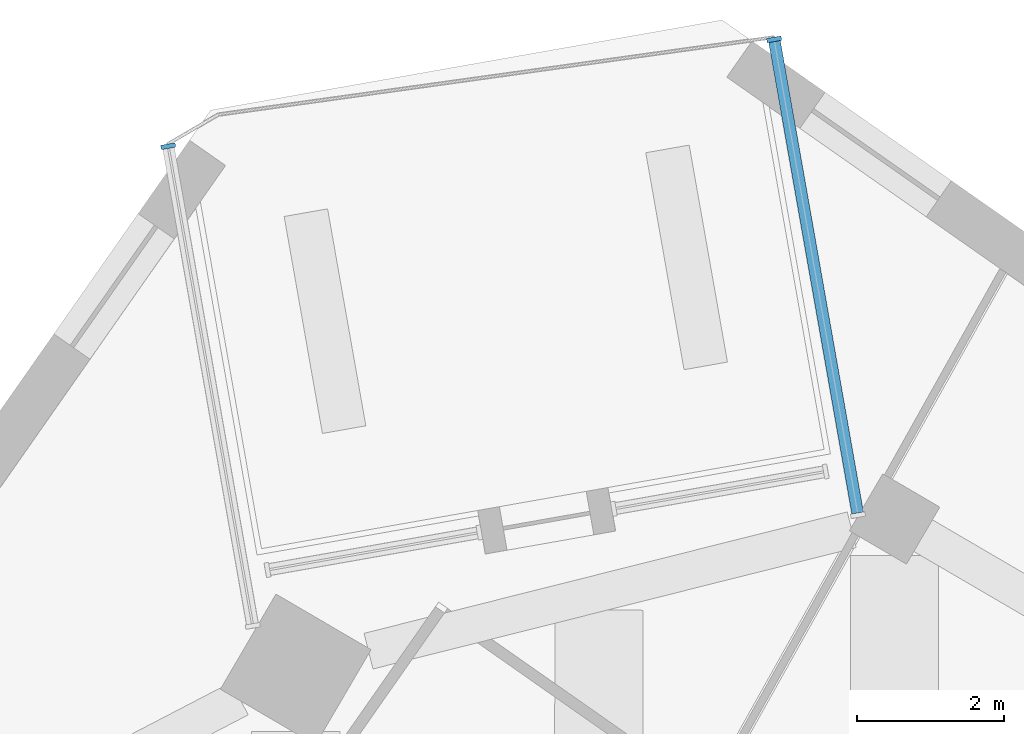
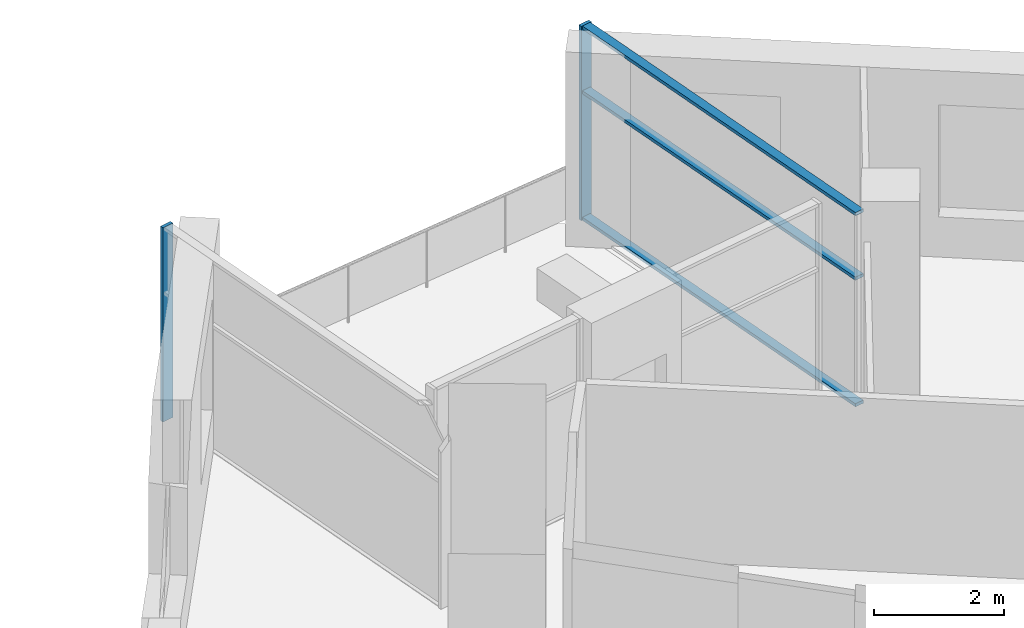
# One storey, part 4 of 13: 5 members, 2 elements without a shape of their own.
"""IFC4 building model written with IfcOpenShell, lengths in metres."""

from ifc_helpers import new_model, si_unit, direction, frame, origin, origin_2d, place, context, subcontext, project, spatial, rectangle, extrude, material, material_profile, profile_set, type_object, element, aggregate, save


model = new_model("IFC4")

# Units and contexts
model_context = context("Model", 3, precision=1e-05, world=origin(), true_north=direction((0.0, 1.0)))
body_context = subcontext(model_context, "Body", "Model", "MODEL_VIEW")
ifc_project = project(units=[si_unit("LENGTHUNIT", "METRE"), si_unit("AREAUNIT", "SQUARE_METRE"), si_unit("VOLUMEUNIT", "CUBIC_METRE"), si_unit("PLANEANGLEUNIT", "RADIAN"), si_unit("MASSUNIT", "GRAM", prefix="KILO")], contexts=[model_context])

# Site, building, storey
site_placement = place(None, origin())
site = spatial("IfcSite", under=ifc_project, at=site_placement, CompositionType="ELEMENT")
building_placement = place(site_placement, origin())
building = spatial("IfcBuilding", under=site, at=building_placement, Name="Dilmun Exchange Tower", CompositionType="ELEMENT")
storey_placement = place(building_placement, frame((0.0, 0.0, 246.89990234375)))
storey = spatial("IfcBuildingStorey", under=building, at=storey_placement, Name="L58", CompositionType="ELEMENT", Elevation=246.89990234375)

# Curtain wall, member
ifc_material_1 = material(Name="Anodised aluminium and clear glass", Category="aluminium")
curtain_wall_type = type_object("IfcCurtainWallType", Name="Garden corner glazing", PredefinedType="NOTDEFINED", material=ifc_material_1)
curtain_wall_1_placement = place(storey_placement, origin())
curtain_wall_1 = element("IfcCurtainWall", 1, at=curtain_wall_1_placement, inside=storey, type_object=curtain_wall_type, Name="Garden corner glazing run GC1.1", PredefinedType="NOTDEFINED")
ifc_material_2 = material(Name="Anodised aluminium", Category="aluminium")
ifc_material_profile_1 = material_profile(ifc_material_2, rectangle(XDim=0.199951171875, YDim=0.06005859375, at=origin_2d()), Name="AL 60x200")
ifc_profile_set_1 = profile_set([ifc_material_profile_1], Name="Anodised aluminium")
member_type_1 = type_object("IfcMemberType", Name="Garden corner glazing mullion 60 x 200", PredefinedType="MULLION", material=ifc_profile_set_1)
member_1_placement = place(storey_placement, frame((2.599365234375, 35.0361328125, 0.0), z_axis=(0.0, 0.0, 1.0), x_axis=(0.984807359836, 0.173650407466, 0.0)))
member_1 = element("IfcMember", 2, at=member_1_placement, type_object=member_type_1, Name="GC1.1 mullion 1", PredefinedType="MULLION", context=body_context, shape_type="SweptSolid", body=[
    extrude(rectangle(XDim=0.199951171875, YDim=0.06005859375, at=origin_2d()), origin(), (0.0, 0.0, 1.0), 3.64013671875),
])

curtain_wall_2_placement = place(storey_placement, origin())
curtain_wall_2 = element("IfcCurtainWall", 3, at=curtain_wall_2_placement, inside=storey, type_object=curtain_wall_type, Name="Garden corner glazing run GC3.1", PredefinedType="NOTDEFINED")
member_2_placement = place(storey_placement, frame((-5.651611328125, 33.581298828125, 0.0), z_axis=(0.0, 0.0, 1.0), x_axis=(-0.984807317735, -0.173650646227, 0.0)))
member_2 = element("IfcMember", 4, at=member_2_placement, type_object=member_type_1, Name="GC3.1 mullion 2", PredefinedType="MULLION", context=body_context, shape_type="SweptSolid", body=[
    extrude(rectangle(XDim=0.199951171875, YDim=0.06005859375, at=origin_2d()), origin(), (0.0, 0.0, 1.0), 3.64013671875),
])
aggregate(curtain_wall_2, [member_2])

# Member
ifc_material_profile_2 = material_profile(ifc_material_2, rectangle(XDim=0.159912109375, YDim=0.06005859375, at=origin_2d()), Name="AL 60x160")
ifc_profile_set_2 = profile_set([ifc_material_profile_2], Name="Anodised aluminium")
member_type_2 = type_object("IfcMemberType", Name="Garden corner glazing transom 60 x 160", PredefinedType="USERDEFINED", material=ifc_profile_set_2)
member_3_placement = place(storey_placement, frame((2.604736328125, 35.006591796875, 0.030029296875), z_axis=(0.173648578108, -0.984807682404, 0.0), x_axis=(0.984807682404, 0.173648578108, 0.0)))
member_3 = element("IfcMember", 5, at=member_3_placement, type_object=member_type_2, Name="GC1.1 transom 1.1", ObjectType="TRANSOM", PredefinedType="USERDEFINED", context=body_context, shape_type="SweptSolid", body=[
    extrude(rectangle(XDim=0.159912109375, YDim=0.06005859375, at=origin_2d()), origin(), (0.0, 0.0, 1.0), 6.51806640625),
])

member_4_placement = place(storey_placement, frame((2.604736328125, 35.006591796875, 2.400146484375), z_axis=(0.173648578108, -0.984807682404, 0.0), x_axis=(0.984807682404, 0.173648578108, 0.0)))
member_4 = element("IfcMember", 6, at=member_4_placement, type_object=member_type_2, Name="GC1.1 transom 1.2", ObjectType="TRANSOM", PredefinedType="USERDEFINED", context=body_context, shape_type="SweptSolid", body=[
    extrude(rectangle(XDim=0.159912109375, YDim=0.06005859375, at=origin_2d()), origin(), (0.0, 0.0, 1.0), 6.51806640625),
])

member_5_placement = place(storey_placement, frame((2.604736328125, 35.006591796875, 3.610107421875), z_axis=(0.173648578108, -0.984807682404, 0.0), x_axis=(0.984807682404, 0.173648578108, 0.0)))
member_5 = element("IfcMember", 7, at=member_5_placement, type_object=member_type_2, Name="GC1.1 transom 1.3", ObjectType="TRANSOM", PredefinedType="USERDEFINED", context=body_context, shape_type="SweptSolid", body=[
    extrude(rectangle(XDim=0.159912109375, YDim=0.06005859375, at=origin_2d()), origin(), (0.0, 0.0, 1.0), 6.51806640625),
])

aggregate(curtain_wall_1, [member_1, member_3, member_4, member_5])

save(model, "model.ifc")
